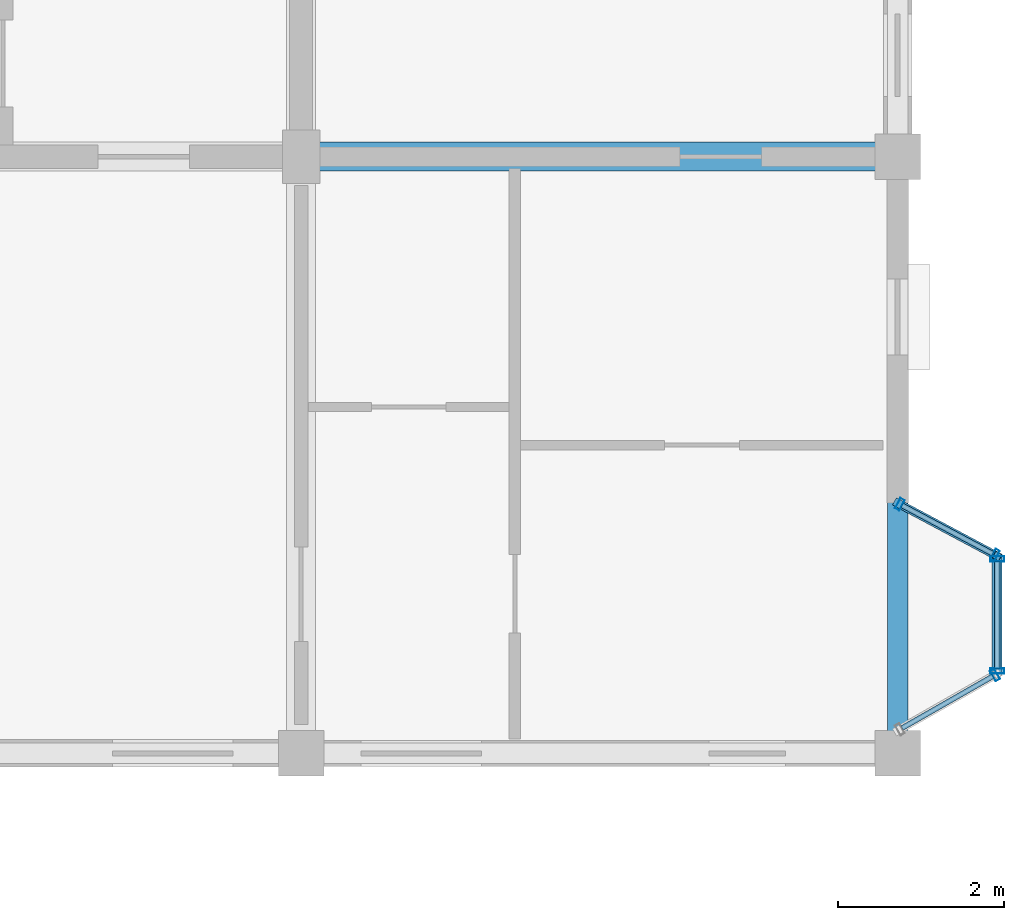
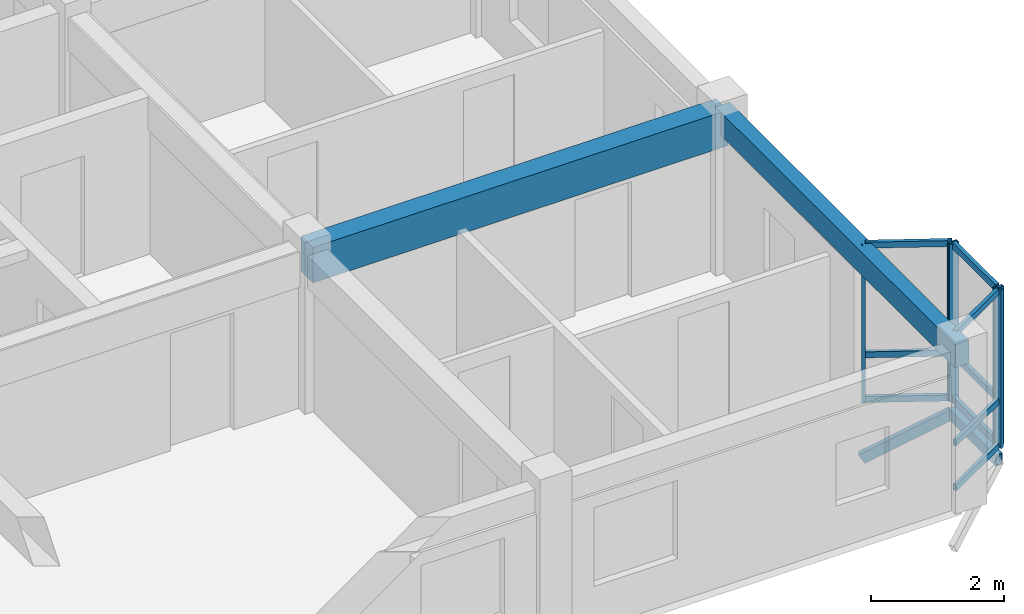
# One storey, part 25 of 77: 16 members, 2 beams, 3 elements without a shape of their own.
"""IFC4 building model written with IfcOpenShell, lengths in metres."""

from ifc_helpers import new_model, si_unit, direction, frame, origin, origin_2d, place, context, subcontext, project, spatial, rectangle, hollow_rectangle, extrude, material, layer, layer_set, material_profile, profile_set, type_object, element, aggregate, save


model = new_model("IFC4")

# Units and contexts
model_context = context("Model", 3, precision=1e-05, world=origin(), true_north=direction((0.0, 1.0)))
body_context = subcontext(model_context, "Body", "Model", "MODEL_VIEW")
ifc_project = project(units=[si_unit("LENGTHUNIT", "METRE"), si_unit("AREAUNIT", "SQUARE_METRE"), si_unit("VOLUMEUNIT", "CUBIC_METRE"), si_unit("PLANEANGLEUNIT", "RADIAN"), si_unit("MASSUNIT", "GRAM", prefix="KILO"), si_unit("THERMODYNAMICTEMPERATUREUNIT", "KELVIN"), si_unit("POWERUNIT", "WATT")], contexts=[model_context])

# Site, building, storey
site_placement = place(None, origin())
site = spatial("IfcSite", under=ifc_project, at=site_placement, CompositionType="ELEMENT")
building_placement = place(site_placement, origin())
building = spatial("IfcBuilding", under=site, at=building_placement, Name="Tavuni Mirador Residences", CompositionType="ELEMENT")
storey_placement = place(building_placement, frame((0.0, 0.0, 17.10009765625)))
storey = spatial("IfcBuildingStorey", under=building, at=storey_placement, Name="L05", CompositionType="ELEMENT", Elevation=17.10009765625)

# Beams
ifc_material_1 = material(Name="Precast concrete C40/50", Category="concrete")
ifc_material_profile_1 = material_profile(ifc_material_1, rectangle(XDim=0.35009765625, YDim=0.64990234375, at=origin_2d()), Name="PC 350x650", Category="concrete")
ifc_profile_set_1 = profile_set([ifc_material_profile_1], Name="Precast concrete C40/50")
beam_type_1 = type_object("IfcBeamType", Name="BT-B650", PredefinedType="BEAM", material=ifc_profile_set_1)
beam_1_placement = place(storey_placement, frame((111.60009765625, 93.60009765625, 2.56494140625), z_axis=(1.0, 0.0, 0.0), x_axis=(0.0, 1.0, 0.0)))
element("IfcBeam", 1, at=beam_1_placement, inside=storey, type_object=beam_type_1, Name="BMX-BLK-D-L05-03-01", PredefinedType="BEAM", context=body_context, shape_type="SweptSolid", body=[
    extrude(rectangle(XDim=0.35009765625, YDim=0.64990234375, at=origin_2d()), origin(), (0.0, 0.0, 1.0), 7.199951171875),
])
ifc_material_profile_2 = material_profile(ifc_material_1, rectangle(XDim=0.25, YDim=0.419921875, at=origin_2d()), Name="PC 250x420", Category="concrete")
ifc_profile_set_2 = profile_set([ifc_material_profile_2], Name="Precast concrete C40/50")
beam_type_2 = type_object("IfcBeamType", Name="BT-SP420", PredefinedType="SPANDREL", material=ifc_profile_set_2)
beam_2_placement = place(storey_placement, frame((118.800048828125, 86.39990234375, 2.679931640625), z_axis=(0.0, 1.0, 0.0), x_axis=(-1.0, 0.0, 0.0)))
element("IfcBeam", 2, at=beam_2_placement, inside=storey, type_object=beam_type_2, Name="BMY-BLK-D-L05-04-00", PredefinedType="SPANDREL", context=body_context, shape_type="SweptSolid", body=[
    extrude(rectangle(XDim=0.25, YDim=0.419921875, at=origin_2d()), origin(), (0.0, 0.0, 1.0), 7.2001953125),
])

# Curtain wall, member
ifc_material_2 = material(Name="Anodised aluminium", Category="aluminium")
ifc_layer_1 = layer(ifc_material_2, 0.175048828125, Name="Anodised aluminium", Category="aluminium")
ifc_layer_set_1 = layer_set([ifc_layer_1], Name="Anodised aluminium")
curtain_wall_type_1 = type_object("IfcCurtainWallType", Name="CWT-MIR-C", PredefinedType="NOTDEFINED", material=ifc_layer_set_1)
curtain_wall_1_placement = place(storey_placement, origin())
curtain_wall_1 = element("IfcCurtainWall", 3, at=curtain_wall_1_placement, inside=storey, type_object=curtain_wall_type_1, Name="CW-MIR-D-E1-L05-M1", PredefinedType="NOTDEFINED")
ifc_material_profile_3 = material_profile(ifc_material_2, hollow_rectangle(XDim=0.06005859375, YDim=0.139892578125, WallThickness=0.00390625, at=origin_2d()), Name="ALU 60x140x4.0", Category="aluminium")
ifc_profile_set_3 = profile_set([ifc_material_profile_3], Name="Anodised aluminium")
member_type_1 = type_object("IfcMemberType", Name="CWM-140", PredefinedType="MULLION", material=ifc_profile_set_3)
member_1_placement = place(storey_placement, frame((119.973876953125, 87.34521484375, 0.0), z_axis=(0.0, 0.0, 1.0), x_axis=(0.868465738194, 0.495749192217, 0.0)))
member_1 = element("IfcMember", 4, at=member_1_placement, type_object=member_type_1, Name="CW-03 mullion 2", PredefinedType="MULLION", context=body_context, shape_type="SweptSolid", body=[
    extrude(hollow_rectangle(XDim=0.06005859375, YDim=0.139892578125, WallThickness=0.00390625, at=origin_2d()), origin(), (0.0, 0.0, 1.0), 2.889892578125),
])

# Curtain wall, members
ifc_layer_2 = layer(ifc_material_2, 0.1650390625, Name="Anodised aluminium", Category="aluminium")
ifc_layer_set_2 = layer_set([ifc_layer_2], Name="Anodised aluminium")
curtain_wall_type_2 = type_object("IfcCurtainWallType", Name="CWT-MIR-A", PredefinedType="NOTDEFINED", material=ifc_layer_set_2)
curtain_wall_2_placement = place(storey_placement, origin())
curtain_wall_2 = element("IfcCurtainWall", 5, at=curtain_wall_2_placement, inside=storey, type_object=curtain_wall_type_2, Name="CW-MIR-D-E1-L05-M2", PredefinedType="NOTDEFINED")
member_2_placement = place(storey_placement, frame((119.9736328125, 88.794189453125, 0.0), z_axis=(0.0, 0.0, 1.0), x_axis=(-0.882352941175, 0.470588235296, 0.0)))
member_2 = element("IfcMember", 6, at=member_2_placement, type_object=member_type_1, Name="CW-01 mullion 1", PredefinedType="MULLION", context=body_context, shape_type="SweptSolid", body=[
    extrude(hollow_rectangle(XDim=0.06005859375, YDim=0.139892578125, WallThickness=0.00390625, at=origin_2d()), origin(), (0.0, 0.0, 1.0), 2.889892578125),
])
member_3_placement = place(storey_placement, frame((118.826416015625, 89.40576171875, 0.0), z_axis=(0.0, 0.0, 1.0), x_axis=(-0.882352941175, 0.470588235296, 0.0)))
member_3 = element("IfcMember", 7, at=member_3_placement, type_object=member_type_1, Name="CW-01 mullion 2", PredefinedType="MULLION", context=body_context, shape_type="SweptSolid", body=[
    extrude(hollow_rectangle(XDim=0.06005859375, YDim=0.139892578125, WallThickness=0.00390625, at=origin_2d()), origin(), (0.0, 0.0, 1.0), 2.889892578125),
])

ifc_layer_3 = layer(ifc_material_2, 0.159912109375, Name="Anodised aluminium", Category="aluminium")
ifc_layer_set_3 = layer_set([ifc_layer_3], Name="Anodised aluminium")
curtain_wall_type_3 = type_object("IfcCurtainWallType", Name="CWT-MIR-D", PredefinedType="NOTDEFINED", material=ifc_layer_set_3)
curtain_wall_3_placement = place(storey_placement, origin())
curtain_wall_3 = element("IfcCurtainWall", 8, at=curtain_wall_3_placement, inside=storey, type_object=curtain_wall_type_3, Name="CW-MIR-D-E1-L05-MF", PredefinedType="NOTDEFINED")
ifc_material_profile_4 = material_profile(ifc_material_2, hollow_rectangle(XDim=0.06494140625, YDim=0.1650390625, WallThickness=0.00439453125, at=origin_2d()), Name="ALU 65x165x4.5", Category="aluminium")
ifc_profile_set_4 = profile_set([ifc_material_profile_4], Name="Anodised aluminium")
member_type_2 = type_object("IfcMemberType", Name="CWM-165", PredefinedType="MULLION", material=ifc_profile_set_4)
member_4_placement = place(storey_placement, frame((120.0, 87.392578125, 0.0), z_axis=(0.0, 0.0, 1.0), x_axis=(0.0, 1.0, 0.0)))
member_4 = element("IfcMember", 9, at=member_4_placement, type_object=member_type_2, Name="CW-04 mullion 1", PredefinedType="MULLION", context=body_context, shape_type="SweptSolid", body=[
    extrude(hollow_rectangle(XDim=0.06494140625, YDim=0.1650390625, WallThickness=0.00439453125, at=origin_2d()), origin(), (0.0, 0.0, 1.0), 2.889892578125),
])
member_5_placement = place(storey_placement, frame((120.0, 88.74755859375, 0.0), z_axis=(0.0, 0.0, 1.0), x_axis=(0.0, 1.0, 0.0)))
member_5 = element("IfcMember", 10, at=member_5_placement, type_object=member_type_2, Name="CW-04 mullion 2", PredefinedType="MULLION", context=body_context, shape_type="SweptSolid", body=[
    extrude(hollow_rectangle(XDim=0.06494140625, YDim=0.1650390625, WallThickness=0.00439453125, at=origin_2d()), origin(), (0.0, 0.0, 1.0), 2.889892578125),
])

# Member
ifc_material_profile_5 = material_profile(ifc_material_2, hollow_rectangle(XDim=0.06005859375, YDim=0.110107421875, WallThickness=0.00390625, at=origin_2d()), Name="ALU 60x110x4.0", Category="aluminium")
ifc_profile_set_5 = profile_set([ifc_material_profile_5], Name="Anodised aluminium")
member_type_3 = type_object("IfcMemberType", Name="CWT-110", PredefinedType="USERDEFINED", material=ifc_profile_set_5)
member_6_placement = place(storey_placement, frame((118.85205078125, 86.704833984375, 0.02978515625), z_axis=(0.868504955205, 0.49568048457, 0.0), x_axis=(-0.49568048457, 0.868504955205, 0.0)))
member_6 = element("IfcMember", 11, at=member_6_placement, type_object=member_type_3, Name="CW-03 transom 1.1", ObjectType="TRANSOM", PredefinedType="USERDEFINED", context=body_context, shape_type="SweptSolid", body=[
    extrude(hollow_rectangle(XDim=0.06005859375, YDim=0.110107421875, WallThickness=0.00390625, at=origin_2d()), origin(), (0.0, 0.0, 1.0), 1.261962890625),
])

member_7_placement = place(storey_placement, frame((118.85205078125, 86.704833984375, 0.849853515625), z_axis=(0.868504955205, 0.49568048457, 0.0), x_axis=(-0.49568048457, 0.868504955205, 0.0)))
member_7 = element("IfcMember", 12, at=member_7_placement, type_object=member_type_3, Name="CW-03 transom 1.2", ObjectType="TRANSOM", PredefinedType="USERDEFINED", context=body_context, shape_type="SweptSolid", body=[
    extrude(hollow_rectangle(XDim=0.06005859375, YDim=0.110107421875, WallThickness=0.00390625, at=origin_2d()), origin(), (0.0, 0.0, 1.0), 1.261962890625),
])

member_8_placement = place(storey_placement, frame((118.85205078125, 86.704833984375, 2.85986328125), z_axis=(0.868504955205, 0.49568048457, 0.0), x_axis=(-0.49568048457, 0.868504955205, 0.0)))
member_8 = element("IfcMember", 13, at=member_8_placement, type_object=member_type_3, Name="CW-03 transom 1.3", ObjectType="TRANSOM", PredefinedType="USERDEFINED", context=body_context, shape_type="SweptSolid", body=[
    extrude(hollow_rectangle(XDim=0.06005859375, YDim=0.110107421875, WallThickness=0.00390625, at=origin_2d()), origin(), (0.0, 0.0, 1.0), 1.261962890625),
])

aggregate(curtain_wall_1, [member_1, member_6, member_7, member_8])

member_9_placement = place(storey_placement, frame((119.947021484375, 88.808349609375, 0.02978515625), z_axis=(-0.882342039492, 0.470608675382, 0.0), x_axis=(-0.470608675382, -0.882342039492, 0.0)))
member_9 = element("IfcMember", 14, at=member_9_placement, type_object=member_type_3, Name="CW-01 transom 1.1", ObjectType="TRANSOM", PredefinedType="USERDEFINED", context=body_context, shape_type="SweptSolid", body=[
    extrude(hollow_rectangle(XDim=0.06005859375, YDim=0.110107421875, WallThickness=0.00390625, at=origin_2d()), origin(), (0.0, 0.0, 1.0), 1.239990234375),
])

member_10_placement = place(storey_placement, frame((119.947021484375, 88.808349609375, 0.849853515625), z_axis=(-0.882342039492, 0.470608675382, 0.0), x_axis=(-0.470608675382, -0.882342039492, 0.0)))
member_10 = element("IfcMember", 15, at=member_10_placement, type_object=member_type_3, Name="CW-01 transom 1.2", ObjectType="TRANSOM", PredefinedType="USERDEFINED", context=body_context, shape_type="SweptSolid", body=[
    extrude(hollow_rectangle(XDim=0.06005859375, YDim=0.110107421875, WallThickness=0.00390625, at=origin_2d()), origin(), (0.0, 0.0, 1.0), 1.239990234375),
])

member_11_placement = place(storey_placement, frame((119.947021484375, 88.808349609375, 2.85986328125), z_axis=(-0.882342039492, 0.470608675382, 0.0), x_axis=(-0.470608675382, -0.882342039492, 0.0)))
member_11 = element("IfcMember", 16, at=member_11_placement, type_object=member_type_3, Name="CW-01 transom 1.3", ObjectType="TRANSOM", PredefinedType="USERDEFINED", context=body_context, shape_type="SweptSolid", body=[
    extrude(hollow_rectangle(XDim=0.06005859375, YDim=0.110107421875, WallThickness=0.00390625, at=origin_2d()), origin(), (0.0, 0.0, 1.0), 1.239990234375),
])

aggregate(curtain_wall_2, [member_2, member_3, member_9, member_10, member_11])

ifc_material_profile_6 = material_profile(ifc_material_2, hollow_rectangle(XDim=0.06494140625, YDim=0.125, WallThickness=0.00439453125, at=origin_2d()), Name="ALU 65x125x4.5", Category="aluminium")
ifc_profile_set_6 = profile_set([ifc_material_profile_6], Name="Anodised aluminium")
member_type_4 = type_object("IfcMemberType", Name="CWT-125", PredefinedType="USERDEFINED", material=ifc_profile_set_6)
member_12_placement = place(storey_placement, frame((120.0, 87.425048828125, 0.032470703125), z_axis=(0.0, 1.0, 0.0), x_axis=(-1.0, 0.0, 0.0)))
member_12 = element("IfcMember", 17, at=member_12_placement, type_object=member_type_4, Name="CW-04 transom 1.1", ObjectType="TRANSOM", PredefinedType="USERDEFINED", context=body_context, shape_type="SweptSolid", body=[
    extrude(hollow_rectangle(XDim=0.06494140625, YDim=0.125, WallThickness=0.00439453125, at=origin_2d()), origin(), (0.0, 0.0, 1.0), 1.2900390625),
])

member_13_placement = place(storey_placement, frame((120.0, 87.425048828125, 0.849853515625), z_axis=(0.0, 1.0, 0.0), x_axis=(-1.0, 0.0, 0.0)))
member_13 = element("IfcMember", 18, at=member_13_placement, type_object=member_type_4, Name="CW-04 transom 1.2", ObjectType="TRANSOM", PredefinedType="USERDEFINED", context=body_context, shape_type="SweptSolid", body=[
    extrude(hollow_rectangle(XDim=0.06494140625, YDim=0.125, WallThickness=0.00439453125, at=origin_2d()), origin(), (0.0, 0.0, 1.0), 1.2900390625),
])

member_14_placement = place(storey_placement, frame((120.0, 87.425048828125, 2.857421875), z_axis=(0.0, 1.0, 0.0), x_axis=(-1.0, 0.0, 0.0)))
member_14 = element("IfcMember", 19, at=member_14_placement, type_object=member_type_4, Name="CW-04 transom 1.3", ObjectType="TRANSOM", PredefinedType="USERDEFINED", context=body_context, shape_type="SweptSolid", body=[
    extrude(hollow_rectangle(XDim=0.06494140625, YDim=0.125, WallThickness=0.00439453125, at=origin_2d()), origin(), (0.0, 0.0, 1.0), 1.2900390625),
])

aggregate(curtain_wall_3, [member_4, member_5, member_12, member_13, member_14])

# Members
ifc_material_3 = material(Name="Structural steel S355", Category="steel")
ifc_material_profile_7 = material_profile(ifc_material_3, hollow_rectangle(XDim=0.10009765625, YDim=0.179931640625, WallThickness=0.008056640625, at=origin_2d()), Name="RHS 180x100x8.0", Category="steel")
ifc_profile_set_7 = profile_set([ifc_material_profile_7], Name="Structural steel S355")
member_type_5 = type_object("IfcMemberType", Name="MT-BR-RHS180", PredefinedType="BRACE", material=ifc_profile_set_7)
member_15_placement = place(storey_placement, frame((118.800048828125, 89.419921875, -1.050048828125), z_axis=(0.762969185555, -0.406865154698, 0.502333323389), x_axis=(0.47054164445, 0.882377788047, 0.0)))
element("IfcMember", 20, at=member_15_placement, inside=storey, type_object=member_type_5, Name="MBRK-MIR-D-E1-L05-2", PredefinedType="BRACE", context=body_context, shape_type="SweptSolid", body=[
    extrude(hollow_rectangle(XDim=0.10009765625, YDim=0.179931640625, WallThickness=0.008056640625, at=origin_2d()), origin(), (0.0, 0.0, 1.0), 1.57275390625),
])
ifc_material_profile_8 = material_profile(ifc_material_3, hollow_rectangle(XDim=0.1201171875, YDim=0.199951171875, WallThickness=0.010009765625, at=origin_2d()), Name="RHS 200x120x10.0", Category="steel")
ifc_profile_set_8 = profile_set([ifc_material_profile_8], Name="Structural steel S355")
member_type_6 = type_object("IfcMemberType", Name="MT-ST-RHS200", PredefinedType="STRUT", material=ifc_profile_set_8)
member_16_placement = place(storey_placement, frame((120.0, 87.360107421875, -0.260009765625), z_axis=(0.0, 1.0, 0.0), x_axis=(-1.0, 0.0, 0.0)))
element("IfcMember", 21, at=member_16_placement, inside=storey, type_object=member_type_6, Name="MRIM-MIR-D-E1-L05", PredefinedType="STRUT", context=body_context, shape_type="SweptSolid", body=[
    extrude(hollow_rectangle(XDim=0.1201171875, YDim=0.199951171875, WallThickness=0.010009765625, at=origin_2d()), origin(), (0.0, 0.0, 1.0), 1.419921875),
])

save(model, "model.ifc")
